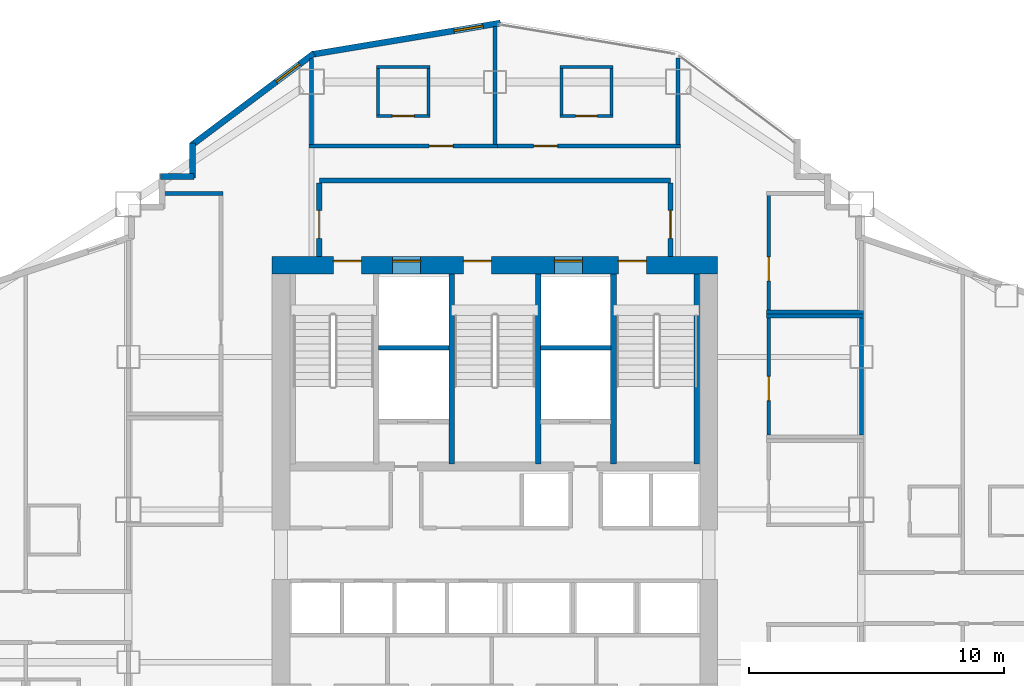
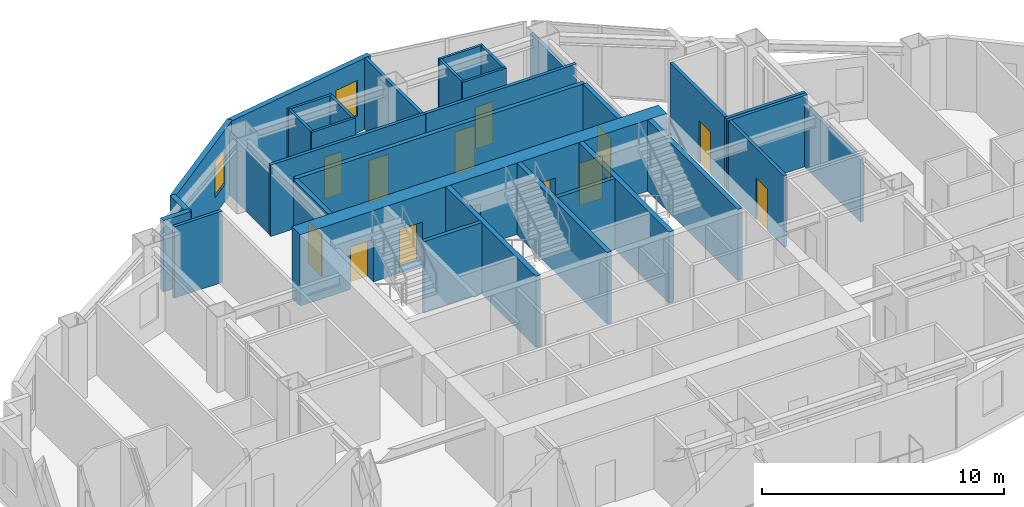
# One storey, part 11 of 14: 33 walls, 13 doors, 2 windows, 15 openings.
"""IFC4 building model written with IfcOpenShell, lengths in metres."""

from ifc_helpers import new_model, si_unit, direction, frame, frame_2d, origin, place, context, subcontext, project, spatial, rectangle, extrude, material, layer, layer_set, type_object, element, fill, save


model = new_model("IFC4")

# Units and contexts
model_context = context("Model", 3, precision=1e-05, world=origin(), true_north=direction((0.0, 1.0)))
body_context = subcontext(model_context, "Body", "Model", "MODEL_VIEW")
ifc_project = project(units=[si_unit("LENGTHUNIT", "METRE"), si_unit("AREAUNIT", "SQUARE_METRE"), si_unit("VOLUMEUNIT", "CUBIC_METRE"), si_unit("PLANEANGLEUNIT", "RADIAN"), si_unit("MASSUNIT", "GRAM", prefix="KILO")], contexts=[model_context])

# Site, building, storey
site_placement = place(None, origin())
site = spatial("IfcSite", under=ifc_project, at=site_placement, CompositionType="ELEMENT")
building_placement = place(site_placement, origin())
building = spatial("IfcBuilding", under=site, at=building_placement, Name="Haolan Belvedere Tower", CompositionType="ELEMENT")
storey_placement = place(building_placement, frame((0.0, 0.0, 121.199951171875)))
storey = spatial("IfcBuildingStorey", under=building, at=storey_placement, Name="L30", CompositionType="ELEMENT", Elevation=121.199951171875)

# Wall, openings, doors
ifc_material_1 = material(Name="Concrete C60/75", Category="concrete")
ifc_layer_1 = layer(ifc_material_1, 0.699951171875, Name="Concrete C60/75")
ifc_layer_set_1 = layer_set([ifc_layer_1], Name="Concrete C60/75")
wall_type_1 = type_object("IfcWallType", Name="WL-CORE-700", PredefinedType="SHEAR", material=ifc_layer_set_1)
wall_1_placement = place(storey_placement, frame((29.64990234375, 43.199951171875, 0.0), z_axis=(0.0, 0.0, 1.0), x_axis=(1.0, 0.0, 0.0)))
wall_1 = element("IfcWall", 1, at=wall_1_placement, inside=storey, type_object=wall_type_1, Name="L30 central core north shear wall", PredefinedType="SHEAR", context=body_context, shape_type="SweptSolid", body=[
    extrude(rectangle(XDim=17.5, YDim=0.699951171875, at=frame_2d((8.75, 0.0))), origin(), (0.0, 0.0, 1.0), 3.60009765625),
])
opening_1_placement = place(wall_1_placement, frame((2.39990234375, 0.0, 0.0)))
opening_1 = element("IfcOpeningElement", 2, at=opening_1_placement, cuts=wall_1, Name="Opening FD-03", PredefinedType="OPENING", context=body_context, shape_type="SweptSolid", body=[
    extrude(rectangle(XDim=1.10009765625, YDim=2.14990234375, at=frame_2d((0.550048828125, 1.074951171875))), frame((0.0, 0.35986328125, 0.0), z_axis=(0.0, -1.0, 0.0), x_axis=(1.0, 0.0, 0.0)), (0.0, 0.0, 1.0), 0.719970703125),
])
opening_2_placement = place(wall_1_placement, frame((7.510009765625, 0.0, 0.0)))
opening_2 = element("IfcOpeningElement", 3, at=opening_2_placement, cuts=wall_1, Name="Opening FD-03", PredefinedType="OPENING", context=body_context, shape_type="SweptSolid", body=[
    extrude(rectangle(XDim=1.10009765625, YDim=2.14990234375, at=frame_2d((0.550048828125, 1.074951171875))), frame((0.0, 0.35986328125, 0.0), z_axis=(0.0, -1.0, 0.0), x_axis=(1.0, 0.0, 0.0)), (0.0, 0.0, 1.0), 0.719970703125),
])
opening_3_placement = place(wall_1_placement, frame((13.60009765625, 0.0, 0.0)))
opening_3 = element("IfcOpeningElement", 4, at=opening_3_placement, cuts=wall_1, Name="Opening FD-03", PredefinedType="OPENING", context=body_context, shape_type="SweptSolid", body=[
    extrude(rectangle(XDim=1.10009765625, YDim=2.14990234375, at=frame_2d((0.550048828125, 1.074951171875))), frame((0.0, 0.35986328125, 0.0), z_axis=(0.0, -1.0, 0.0), x_axis=(1.0, 0.0, 0.0)), (0.0, 0.0, 1.0), 0.719970703125),
])
opening_4_placement = place(wall_1_placement, frame((4.72998046875, 0.0, 0.0)))
opening_4 = element("IfcOpeningElement", 5, at=opening_4_placement, cuts=wall_1, Name="Opening LD-01", PredefinedType="OPENING", context=body_context, shape_type="SweptSolid", body=[
    extrude(rectangle(XDim=1.10009765625, YDim=2.199951171875, at=frame_2d((0.550048828125, 1.10009765625))), frame((0.0, 0.35986328125, 0.0), z_axis=(0.0, -1.0, 0.0), x_axis=(1.0, 0.0, 0.0)), (0.0, 0.0, 1.0), 0.719970703125),
])
opening_5_placement = place(wall_1_placement, frame((11.090087890625, 0.0, 0.0)))
opening_5 = element("IfcOpeningElement", 6, at=opening_5_placement, cuts=wall_1, Name="Opening LD-01", PredefinedType="OPENING", context=body_context, shape_type="SweptSolid", body=[
    extrude(rectangle(XDim=1.10009765625, YDim=2.199951171875, at=frame_2d((0.550048828125, 1.10009765625))), frame((0.0, 0.35986328125, 0.0), z_axis=(0.0, -1.0, 0.0), x_axis=(1.0, 0.0, 0.0)), (0.0, 0.0, 1.0), 0.719970703125),
])
ifc_material_2 = material(Name="Galvanised fire-rated steel", Category="steel")
door_type_1 = type_object("IfcDoorType", Name="DR-FD90-1100", OperationType="NOTDEFINED", PredefinedType="DOOR", material=ifc_material_2)
door_1_placement = place(opening_1_placement, origin())
door_1 = element("IfcDoor", 7, at=door_1_placement, inside=storey, type_object=door_type_1, Name="L30 door CD-L30-ST1", OperationType="SINGLE_SWING_LEFT", OverallHeight=2.14990234375, OverallWidth=1.10009765625, PredefinedType="DOOR", context=body_context, shape_type="SweptSolid", body=[
    extrude(rectangle(XDim=1.10009765625, YDim=2.14990234375, at=frame_2d((0.550048828125, 1.074951171875))), frame((0.0, 0.18505859375, 0.0), z_axis=(0.0, -1.0, 0.0), x_axis=(1.0, 0.0, 0.0)), (0.0, 0.0, 1.0), 0.050048828125),
])
fill(opening_1, door_1)
door_2_placement = place(opening_2_placement, origin())
door_2 = element("IfcDoor", 8, at=door_2_placement, inside=storey, type_object=door_type_1, Name="L30 door CD-L30-ST3", OperationType="SINGLE_SWING_LEFT", OverallHeight=2.14990234375, OverallWidth=1.10009765625, PredefinedType="DOOR", context=body_context, shape_type="SweptSolid", body=[
    extrude(rectangle(XDim=1.10009765625, YDim=2.14990234375, at=frame_2d((0.550048828125, 1.074951171875))), frame((0.0, 0.18505859375, 0.0), z_axis=(0.0, -1.0, 0.0), x_axis=(1.0, 0.0, 0.0)), (0.0, 0.0, 1.0), 0.050048828125),
])
fill(opening_2, door_2)
door_3_placement = place(opening_3_placement, origin())
door_3 = element("IfcDoor", 9, at=door_3_placement, inside=storey, type_object=door_type_1, Name="L30 door CD-L30-ST2", OperationType="SINGLE_SWING_RIGHT", OverallHeight=2.14990234375, OverallWidth=1.10009765625, PredefinedType="DOOR", context=body_context, shape_type="SweptSolid", body=[
    extrude(rectangle(XDim=1.10009765625, YDim=2.14990234375, at=frame_2d((0.550048828125, 1.074951171875))), frame((0.0, 0.18505859375, 0.0), z_axis=(0.0, -1.0, 0.0), x_axis=(1.0, 0.0, 0.0)), (0.0, 0.0, 1.0), 0.050048828125),
])
fill(opening_3, door_3)
ifc_material_3 = material(Name="Brushed champagne stainless steel 316L", Category="steel")
door_type_2 = type_object("IfcDoorType", Name="DR-LIFT-1100", OperationType="SLIDING_TO_LEFT", PredefinedType="DOOR", material=ifc_material_3)
door_4_placement = place(opening_4_placement, origin())
door_4 = element("IfcDoor", 10, at=door_4_placement, inside=storey, type_object=door_type_2, Name="L30 door LD-L30-FF1", OperationType="SLIDING_TO_LEFT", OverallHeight=2.199951171875, OverallWidth=1.10009765625, PredefinedType="DOOR", context=body_context, shape_type="SweptSolid", body=[
    extrude(rectangle(XDim=1.10009765625, YDim=2.199951171875, at=frame_2d((0.550048828125, 1.10009765625))), frame((0.0, 0.18505859375, 0.0), z_axis=(0.0, -1.0, 0.0), x_axis=(1.0, 0.0, 0.0)), (0.0, 0.0, 1.0), 0.050048828125),
])
fill(opening_4, door_4)
door_5_placement = place(opening_5_placement, origin())
door_5 = element("IfcDoor", 11, at=door_5_placement, inside=storey, type_object=door_type_2, Name="L30 door LD-L30-FF2", OperationType="SLIDING_TO_LEFT", OverallHeight=2.199951171875, OverallWidth=1.10009765625, PredefinedType="DOOR", context=body_context, shape_type="SweptSolid", body=[
    extrude(rectangle(XDim=1.10009765625, YDim=2.199951171875, at=frame_2d((0.550048828125, 1.10009765625))), frame((0.0, 0.18505859375, 0.0), z_axis=(0.0, -1.0, 0.0), x_axis=(1.0, 0.0, 0.0)), (0.0, 0.0, 1.0), 0.050048828125),
])
fill(opening_5, door_5)

# Wall, opening, window
ifc_material_4 = material(Name="Precast concrete C40/50", Category="concrete")
ifc_layer_2 = layer(ifc_material_4, 0.239990234375, Name="Precast concrete C40/50")
ifc_layer_set_2 = layer_set([ifc_layer_2], Name="Precast concrete C40/50")
wall_type_2 = type_object("IfcWallType", Name="WL-EXT-240", PredefinedType="SOLIDWALL", material=ifc_layer_set_2)
wall_2_placement = place(storey_placement, frame((38.621826171875, 52.71533203125, 0.0), z_axis=(0.0, 0.0, 1.0), x_axis=(-0.98639129485, -0.164414760418, 0.0)))
wall_2 = element("IfcWall", 12, at=wall_2_placement, inside=storey, type_object=wall_type_2, Name="L30 pale-metal exterior spandrel wall 28.1", PredefinedType="SOLIDWALL", context=body_context, shape_type="SweptSolid", body=[
    extrude(rectangle(XDim=7.530029296875, YDim=0.239990234375, at=frame_2d((3.76513671875, 0.0))), origin(), (0.0, 0.0, 1.0), 3.60009765625),
])
opening_6_placement = place(wall_2_placement, frame((0.699951171875, 0.0, 0.85009765625)))
opening_6 = element("IfcOpeningElement", 13, at=opening_6_placement, cuts=wall_2, Name="Opening W-02", PredefinedType="OPENING", context=body_context, shape_type="SweptSolid", body=[
    extrude(rectangle(XDim=1.14990234375, YDim=1.800048828125, at=frame_2d((0.574951171875, 0.89990234375))), frame((0.0, 0.1298828125, 0.0), z_axis=(0.0, -1.0, 0.0), x_axis=(1.0, 0.0, 0.0)), (0.0, 0.0, 1.0), 0.260009765625),
])
ifc_material_5 = material(Name="Anodised aluminium 6063-T6 and Low-E glass", Category="aluminium")
window_type = type_object("IfcWindowType", Name="WN-DECO-Z2", PartitioningType="SINGLE_PANEL", PredefinedType="WINDOW", material=ifc_material_5)
window_1_placement = place(opening_6_placement, origin())
window_1 = element("IfcWindow", 14, at=window_1_placement, inside=storey, type_object=window_type, Name="L30 Art Deco chevron window 1", OverallHeight=1.800048828125, OverallWidth=1.14990234375, PartitioningType="SINGLE_PANEL", PredefinedType="WINDOW", context=body_context, shape_type="SweptSolid", body=[
    extrude(rectangle(XDim=1.14990234375, YDim=1.800048828125, at=frame_2d((0.574951171875, 0.89990234375))), frame((0.0, 0.030029296875, 0.0), z_axis=(0.0, -1.0, 0.0), x_axis=(1.0, 0.0, 0.0)), (0.0, 0.0, 1.0), 0.06005859375),
])
fill(opening_6, window_1)

wall_3_placement = place(storey_placement, frame((31.29248046875, 51.519287109375, 0.0), z_axis=(0.0, 0.0, 1.0), x_axis=(-0.8, -0.6, 0.0)))
wall_3 = element("IfcWall", 15, at=wall_3_placement, inside=storey, type_object=wall_type_2, Name="L30 pale-metal exterior spandrel wall 29.1", PredefinedType="SOLIDWALL", context=body_context, shape_type="SweptSolid", body=[
    extrude(rectangle(XDim=6.0205078125, YDim=0.239990234375, at=frame_2d((3.01025390625, 0.0))), origin(), (0.0, 0.0, 1.0), 3.60009765625),
])
opening_7_placement = place(wall_3_placement, frame((0.699951171875, 0.0, 0.85009765625)))
opening_7 = element("IfcOpeningElement", 16, at=opening_7_placement, cuts=wall_3, Name="Opening W-02", PredefinedType="OPENING", context=body_context, shape_type="SweptSolid", body=[
    extrude(rectangle(XDim=1.14990234375, YDim=1.800048828125, at=frame_2d((0.574951171875, 0.89990234375))), frame((0.0, 0.1298828125, 0.0), z_axis=(0.0, -1.0, 0.0), x_axis=(1.0, 0.0, 0.0)), (0.0, 0.0, 1.0), 0.260009765625),
])
window_2_placement = place(opening_7_placement, origin())
window_2 = element("IfcWindow", 17, at=window_2_placement, inside=storey, type_object=window_type, Name="L30 Art Deco chevron window 1", OverallHeight=1.800048828125, OverallWidth=1.14990234375, PartitioningType="SINGLE_PANEL", PredefinedType="WINDOW", context=body_context, shape_type="SweptSolid", body=[
    extrude(rectangle(XDim=1.14990234375, YDim=1.800048828125, at=frame_2d((0.574951171875, 0.89990234375))), frame((0.0, 0.030029296875, 0.0), z_axis=(0.0, -1.0, 0.0), x_axis=(1.0, 0.0, 0.0)), (0.0, 0.0, 1.0), 0.06005859375),
])
fill(opening_7, window_2)

# Walls
wall_4_placement = place(storey_placement, frame((26.52001953125, 47.9951171875, 0.0), z_axis=(0.0, 0.0, 1.0), x_axis=(0.0, -1.0, 0.0)))
element("IfcWall", 18, at=wall_4_placement, inside=storey, type_object=wall_type_2, Name="L30 pale-metal exterior spandrel wall 30.1", PredefinedType="SOLIDWALL", context=body_context, shape_type="SweptSolid", body=[
    extrude(rectangle(XDim=1.3701171875, YDim=0.239990234375, at=frame_2d((0.68505859375, 0.0))), origin(), (0.0, 0.0, 1.0), 3.60009765625),
])
wall_5_placement = place(storey_placement, frame((26.574951171875, 46.679931640625, 0.0), z_axis=(0.0, 0.0, 1.0), x_axis=(-1.0, 0.0, 0.0)))
element("IfcWall", 19, at=wall_5_placement, inside=storey, type_object=wall_type_2, Name="L30 pale-metal exterior spandrel wall 31.1", PredefinedType="SOLIDWALL", context=body_context, shape_type="SweptSolid", body=[
    extrude(rectangle(XDim=1.31005859375, YDim=0.239990234375, at=frame_2d((0.655029296875, 0.0))), origin(), (0.0, 0.0, 1.0), 3.60009765625),
])
ifc_material_6 = material(Name="Concrete C40/50", Category="concrete")
ifc_layer_3 = layer(ifc_material_6, 0.199951171875, Name="Concrete C40/50")
ifc_layer_set_3 = layer_set([ifc_layer_3], Name="Concrete C40/50")
wall_type_3 = type_object("IfcWallType", Name="WL-FIRE-200", PredefinedType="SOLIDWALL", material=ifc_layer_set_3)
wall_6_placement = place(storey_placement, frame((31.5, 46.52001953125, 0.0), z_axis=(0.0, 0.0, 1.0), x_axis=(1.0, 0.0, 0.0)))
element("IfcWall", 20, at=wall_6_placement, inside=storey, type_object=wall_type_3, Name="L30 interior partition IW-L30-FFL-N", PredefinedType="SOLIDWALL", context=body_context, shape_type="SweptSolid", body=[
    extrude(rectangle(XDim=13.800048828125, YDim=0.199951171875, at=frame_2d((6.89990234375, 0.0))), origin(), (0.0, 0.0, 1.0), 3.60009765625),
])

# Wall, opening, door
wall_7_placement = place(storey_placement, frame((31.5, 43.550048828125, 0.0), z_axis=(0.0, 0.0, 1.0), x_axis=(0.0, 1.0, 0.0)))
wall_7 = element("IfcWall", 21, at=wall_7_placement, inside=storey, type_object=wall_type_3, Name="L30 interior partition IW-L30-FFL-W", PredefinedType="SOLIDWALL", context=body_context, shape_type="SweptSolid", body=[
    extrude(rectangle(XDim=2.885009765625, YDim=0.199951171875, at=frame_2d((1.4423828125, 0.0))), origin(), (0.0, 0.0, 1.0), 3.60009765625),
])
opening_8_placement = place(wall_7_placement, frame((1.800048828125, 0.0, 0.0), z_axis=(0.0, 0.0, 1.0), x_axis=(-1.0, 0.0, 0.0)))
opening_8 = element("IfcOpeningElement", 22, at=opening_8_placement, cuts=wall_7, Name="Opening FD-03", PredefinedType="OPENING", context=body_context, shape_type="SweptSolid", body=[
    extrude(rectangle(XDim=1.10009765625, YDim=2.14990234375, at=frame_2d((0.550048828125, 1.074951171875))), frame((0.0, 0.10986328125, 0.0), z_axis=(0.0, -1.0, 0.0), x_axis=(1.0, 0.0, 0.0)), (0.0, 0.0, 1.0), 0.219970703125),
])
door_6_placement = place(opening_8_placement, origin())
door_6 = element("IfcDoor", 23, at=door_6_placement, inside=storey, type_object=door_type_1, Name="L30 door ID-L30-FFL-DW", OperationType="SINGLE_SWING_LEFT", OverallHeight=2.14990234375, OverallWidth=1.10009765625, PredefinedType="DOOR", context=body_context, shape_type="SweptSolid", body=[
    extrude(rectangle(XDim=1.10009765625, YDim=2.14990234375, at=frame_2d((0.550048828125, 1.074951171875))), frame((0.0, 0.02490234375, 0.0), z_axis=(0.0, -1.0, 0.0), x_axis=(1.0, 0.0, 0.0)), (0.0, 0.0, 1.0), 0.050048828125),
])
fill(opening_8, door_6)

wall_8_placement = place(storey_placement, frame((45.300048828125, 43.550048828125, 0.0), z_axis=(0.0, 0.0, 1.0), x_axis=(0.0, 1.0, 0.0)))
wall_8 = element("IfcWall", 24, at=wall_8_placement, inside=storey, type_object=wall_type_3, Name="L30 interior partition IW-L30-FFL-E", PredefinedType="SOLIDWALL", context=body_context, shape_type="SweptSolid", body=[
    extrude(rectangle(XDim=2.885009765625, YDim=0.199951171875, at=frame_2d((1.4423828125, 0.0))), origin(), (0.0, 0.0, 1.0), 3.60009765625),
])
opening_9_placement = place(wall_8_placement, frame((0.699951171875, 0.0, 0.0)))
opening_9 = element("IfcOpeningElement", 25, at=opening_9_placement, cuts=wall_8, Name="Opening FD-03", PredefinedType="OPENING", context=body_context, shape_type="SweptSolid", body=[
    extrude(rectangle(XDim=1.10009765625, YDim=2.14990234375, at=frame_2d((0.550048828125, 1.074951171875))), frame((0.0, 0.10986328125, 0.0), z_axis=(0.0, -1.0, 0.0), x_axis=(1.0, 0.0, 0.0)), (0.0, 0.0, 1.0), 0.219970703125),
])
door_7_placement = place(opening_9_placement, origin())
door_7 = element("IfcDoor", 26, at=door_7_placement, inside=storey, type_object=door_type_1, Name="L30 door ID-L30-FFL-DE", OperationType="SINGLE_SWING_RIGHT", OverallHeight=2.14990234375, OverallWidth=1.10009765625, PredefinedType="DOOR", context=body_context, shape_type="SweptSolid", body=[
    extrude(rectangle(XDim=1.10009765625, YDim=2.14990234375, at=frame_2d((0.550048828125, 1.074951171875))), frame((0.0, 0.02490234375, 0.0), z_axis=(0.0, -1.0, 0.0), x_axis=(1.0, 0.0, 0.0)), (0.0, 0.0, 1.0), 0.050048828125),
])
fill(opening_9, door_7)

# Walls
ifc_material_7 = material(Name="Double gypsum acoustic stud partition", Category="masonry")
ifc_layer_4 = layer(ifc_material_7, 0.14990234375, Name="Double gypsum acoustic stud partition")
ifc_layer_set_4 = layer_set([ifc_layer_4], Name="Double gypsum acoustic stud partition")
wall_type_4 = type_object("IfcWallType", Name="WL-PART-150", PredefinedType="PARTITIONING", material=ifc_layer_set_4)
wall_9_placement = place(storey_placement, frame((25.425048828125, 46.02001953125, 0.0), z_axis=(0.0, 0.0, 1.0), x_axis=(1.0, 0.0, 0.0)))
element("IfcWall", 27, at=wall_9_placement, inside=storey, type_object=wall_type_4, Name="L30 interior partition IW-L30-MTG-N", PredefinedType="PARTITIONING", context=body_context, shape_type="SweptSolid", body=[
    extrude(rectangle(XDim=2.294921875, YDim=0.14990234375, at=frame_2d((1.1474609375, 0.0))), origin(), (0.0, 0.0, 1.0), 3.60009765625),
])
wall_10_placement = place(storey_placement, frame((49.080078125, 41.199951171875, 0.0), z_axis=(0.0, 0.0, 1.0), x_axis=(1.0, 0.0, 0.0)))
element("IfcWall", 28, at=wall_10_placement, inside=storey, type_object=wall_type_4, Name="L30 interior partition IW-L30-STY-N", PredefinedType="PARTITIONING", context=body_context, shape_type="SweptSolid", body=[
    extrude(rectangle(XDim=3.7998046875, YDim=0.14990234375, at=frame_2d((1.89990234375, 0.0))), origin(), (0.0, 0.0, 1.0), 3.60009765625),
])

# Wall, opening, door
wall_11_placement = place(storey_placement, frame((49.159912109375, 36.52001953125, 0.0), z_axis=(0.0, 0.0, 1.0), x_axis=(0.0, 1.0, 0.0)))
wall_11 = element("IfcWall", 29, at=wall_11_placement, inside=storey, type_object=wall_type_4, Name="L30 interior partition IW-L30-STY-W", PredefinedType="PARTITIONING", context=body_context, shape_type="SweptSolid", body=[
    extrude(rectangle(XDim=4.619873046875, YDim=0.14990234375, at=frame_2d((2.31005859375, 0.0))), origin(), (0.0, 0.0, 1.0), 3.60009765625),
])
opening_10_placement = place(wall_11_placement, frame((1.360107421875, 0.0, 0.0)))
opening_10 = element("IfcOpeningElement", 30, at=opening_10_placement, cuts=wall_11, Name="Opening ID-03", PredefinedType="OPENING", context=body_context, shape_type="SweptSolid", body=[
    extrude(rectangle(XDim=0.949951171875, YDim=2.1201171875, at=frame_2d((0.47509765625, 1.06005859375))), frame((0.0, 0.0849609375, 0.0), z_axis=(0.0, -1.0, 0.0), x_axis=(1.0, 0.0, 0.0)), (0.0, 0.0, 1.0), 0.169921875),
])
ifc_material_8 = material(Name="Painted solid-core timber", Category="wood")
door_type_3 = type_object("IfcDoorType", Name="DR-INT-950", OperationType="NOTDEFINED", PredefinedType="DOOR", material=ifc_material_8)
door_8_placement = place(opening_10_placement, origin())
door_8 = element("IfcDoor", 31, at=door_8_placement, inside=storey, type_object=door_type_3, Name="L30 door ID-L30-STY", OperationType="SINGLE_SWING_RIGHT", OverallHeight=2.1201171875, OverallWidth=0.949951171875, PredefinedType="DOOR", context=body_context, shape_type="SweptSolid", body=[
    extrude(rectangle(XDim=0.949951171875, YDim=2.1201171875, at=frame_2d((0.47509765625, 1.06005859375))), frame((0.0, 0.02490234375, 0.0), z_axis=(0.0, -1.0, 0.0), x_axis=(1.0, 0.0, 0.0)), (0.0, 0.0, 1.0), 0.050048828125),
])
fill(opening_10, door_8)

# Walls
wall_12_placement = place(storey_placement, frame((52.800048828125, 36.52001953125, 0.0), z_axis=(0.0, 0.0, 1.0), x_axis=(0.0, 1.0, 0.0)))
element("IfcWall", 32, at=wall_12_placement, inside=storey, type_object=wall_type_4, Name="L30 interior partition IW-L30-STY-E", PredefinedType="PARTITIONING", context=body_context, shape_type="SweptSolid", body=[
    extrude(rectangle(XDim=4.619873046875, YDim=0.14990234375, at=frame_2d((2.31005859375, 0.0))), origin(), (0.0, 0.0, 1.0), 3.14501953125),
])
wall_13_placement = place(storey_placement, frame((49.080078125, 41.360107421875, 0.0), z_axis=(0.0, 0.0, 1.0), x_axis=(1.0, 0.0, 0.0)))
element("IfcWall", 33, at=wall_13_placement, inside=storey, type_object=wall_type_4, Name="L30 interior partition IW-L30-PNT-S", PredefinedType="PARTITIONING", context=body_context, shape_type="SweptSolid", body=[
    extrude(rectangle(XDim=3.7998046875, YDim=0.14990234375, at=frame_2d((1.89990234375, 0.0))), origin(), (0.0, 0.0, 1.0), 3.60009765625),
])

# Wall, opening, door
wall_14_placement = place(storey_placement, frame((49.159912109375, 41.419921875, 0.0), z_axis=(0.0, 0.0, 1.0), x_axis=(0.0, 1.0, 0.0)))
wall_14 = element("IfcWall", 34, at=wall_14_placement, inside=storey, type_object=wall_type_4, Name="L30 interior partition IW-L30-PNT-W", PredefinedType="PARTITIONING", context=body_context, shape_type="SweptSolid", body=[
    extrude(rectangle(XDim=4.5400390625, YDim=0.14990234375, at=frame_2d((2.27001953125, 0.0))), origin(), (0.0, 0.0, 1.0), 3.60009765625),
])
opening_11_placement = place(wall_14_placement, frame((1.159912109375, 0.0, 0.0)))
opening_11 = element("IfcOpeningElement", 35, at=opening_11_placement, cuts=wall_14, Name="Opening ID-03", PredefinedType="OPENING", context=body_context, shape_type="SweptSolid", body=[
    extrude(rectangle(XDim=0.949951171875, YDim=2.1201171875, at=frame_2d((0.47509765625, 1.06005859375))), frame((0.0, 0.0849609375, 0.0), z_axis=(0.0, -1.0, 0.0), x_axis=(1.0, 0.0, 0.0)), (0.0, 0.0, 1.0), 0.169921875),
])
door_9_placement = place(opening_11_placement, origin())
door_9 = element("IfcDoor", 36, at=door_9_placement, inside=storey, type_object=door_type_3, Name="L30 door ID-L30-PNT", OperationType="SINGLE_SWING_LEFT", OverallHeight=2.1201171875, OverallWidth=0.949951171875, PredefinedType="DOOR", context=body_context, shape_type="SweptSolid", body=[
    extrude(rectangle(XDim=0.949951171875, YDim=2.1201171875, at=frame_2d((0.47509765625, 1.06005859375))), frame((0.0, 0.02490234375, 0.0), z_axis=(0.0, -1.0, 0.0), x_axis=(1.0, 0.0, 0.0)), (0.0, 0.0, 1.0), 0.050048828125),
])
fill(opening_11, door_9)

wall_15_placement = place(storey_placement, frame((31.10009765625, 47.8798828125, 0.0), z_axis=(0.0, 0.0, 1.0), x_axis=(1.0, 0.0, 0.0)))
wall_15 = element("IfcWall", 37, at=wall_15_placement, inside=storey, type_object=wall_type_4, Name="L30 interior partition IW-L30-KN2-S", PredefinedType="PARTITIONING", context=body_context, shape_type="SweptSolid", body=[
    extrude(rectangle(XDim=7.39990234375, YDim=0.14990234375, at=frame_2d((3.699951171875, 0.0))), origin(), (0.0, 0.0, 1.0), 3.60009765625),
])
opening_12_placement = place(wall_15_placement, frame((4.713623046875, 0.0, 0.0)))
opening_12 = element("IfcOpeningElement", 38, at=opening_12_placement, cuts=wall_15, Name="Opening ID-02", PredefinedType="OPENING", context=body_context, shape_type="SweptSolid", body=[
    extrude(rectangle(XDim=0.949951171875, YDim=2.14990234375, at=frame_2d((0.47509765625, 1.074951171875))), frame((0.0, 0.0849609375, 0.0), z_axis=(0.0, -1.0, 0.0), x_axis=(1.0, 0.0, 0.0)), (0.0, 0.0, 1.0), 0.169921875),
])
ifc_material_9 = material(Name="Acoustic oak veneer fire-rated timber", Category="wood")
door_type_4 = type_object("IfcDoorType", Name="DR-GUEST-950", OperationType="NOTDEFINED", PredefinedType="DOOR", material=ifc_material_9)
door_10_placement = place(opening_12_placement, origin())
door_10 = element("IfcDoor", 39, at=door_10_placement, inside=storey, type_object=door_type_4, Name="L30 door ID-L30-KN2-ENT", OperationType="SINGLE_SWING_RIGHT", OverallHeight=2.14990234375, OverallWidth=0.949951171875, PredefinedType="DOOR", context=body_context, shape_type="SweptSolid", body=[
    extrude(rectangle(XDim=0.949951171875, YDim=2.14990234375, at=frame_2d((0.47509765625, 1.074951171875))), frame((0.0, 0.02490234375, 0.0), z_axis=(0.0, -1.0, 0.0), x_axis=(1.0, 0.0, 0.0)), (0.0, 0.0, 1.0), 0.050048828125),
])
fill(opening_12, door_10)

# Walls
wall_16_placement = place(storey_placement, frame((31.199951171875, 47.93994140625, 0.0), z_axis=(0.0, 0.0, 1.0), x_axis=(0.0, 1.0, 0.0)))
element("IfcWall", 40, at=wall_16_placement, inside=storey, type_object=wall_type_4, Name="L30 interior partition IW-L30-KN2-W", PredefinedType="PARTITIONING", context=body_context, shape_type="SweptSolid", body=[
    extrude(rectangle(XDim=3.378662109375, YDim=0.14990234375, at=frame_2d((1.689453125, 0.0))), origin(), (0.0, 0.0, 1.0), 3.0849609375),
])
wall_17_placement = place(storey_placement, frame((38.39990234375, 47.93994140625, 0.0), z_axis=(0.0, 0.0, 1.0), x_axis=(0.0, 1.0, 0.0)))
element("IfcWall", 41, at=wall_17_placement, inside=storey, type_object=wall_type_4, Name="L30 interior partition IW-L30-KN2-E", PredefinedType="PARTITIONING", context=body_context, shape_type="SweptSolid", body=[
    extrude(rectangle(XDim=4.632080078125, YDim=0.14990234375, at=frame_2d((2.31591796875, 0.0))), origin(), (0.0, 0.0, 1.0), 3.60009765625),
])

# Wall, opening, door
wall_18_placement = place(storey_placement, frame((38.501953125, 47.8798828125, 0.0), z_axis=(0.0, 0.0, 1.0), x_axis=(1.0, 0.0, 0.0)))
wall_18 = element("IfcWall", 42, at=wall_18_placement, inside=storey, type_object=wall_type_4, Name="L30 interior partition IW-L30-KN3-S", PredefinedType="PARTITIONING", context=body_context, shape_type="SweptSolid", body=[
    extrude(rectangle(XDim=7.197998046875, YDim=0.14990234375, at=frame_2d((3.59912109375, 0.0))), origin(), (0.0, 0.0, 1.0), 3.60009765625),
])
opening_13_placement = place(wall_18_placement, frame((1.41748046875, 0.0, 0.0)))
opening_13 = element("IfcOpeningElement", 43, at=opening_13_placement, cuts=wall_18, Name="Opening ID-02", PredefinedType="OPENING", context=body_context, shape_type="SweptSolid", body=[
    extrude(rectangle(XDim=0.949951171875, YDim=2.14990234375, at=frame_2d((0.47509765625, 1.074951171875))), frame((0.0, 0.0849609375, 0.0), z_axis=(0.0, -1.0, 0.0), x_axis=(1.0, 0.0, 0.0)), (0.0, 0.0, 1.0), 0.169921875),
])
door_11_placement = place(opening_13_placement, origin())
door_11 = element("IfcDoor", 44, at=door_11_placement, inside=storey, type_object=door_type_4, Name="L30 door ID-L30-KN3-ENT", OperationType="SINGLE_SWING_LEFT", OverallHeight=2.14990234375, OverallWidth=0.949951171875, PredefinedType="DOOR", context=body_context, shape_type="SweptSolid", body=[
    extrude(rectangle(XDim=0.949951171875, YDim=2.14990234375, at=frame_2d((0.47509765625, 1.074951171875))), frame((0.0, 0.02490234375, 0.0), z_axis=(0.0, -1.0, 0.0), x_axis=(1.0, 0.0, 0.0)), (0.0, 0.0, 1.0), 0.050048828125),
])
fill(opening_13, door_11)

# Walls
wall_19_placement = place(storey_placement, frame((45.60009765625, 47.93994140625, 0.0), z_axis=(0.0, 0.0, 1.0), x_axis=(0.0, 1.0, 0.0)))
element("IfcWall", 45, at=wall_19_placement, inside=storey, type_object=wall_type_4, Name="L30 interior partition IW-L30-KN3-E", PredefinedType="PARTITIONING", context=body_context, shape_type="SweptSolid", body=[
    extrude(rectangle(XDim=3.39501953125, YDim=0.14990234375, at=frame_2d((1.697509765625, 0.0))), origin(), (0.0, 0.0, 1.0), 3.0849609375),
])
ifc_layer_5 = layer(ifc_material_4, 0.179931640625, Name="Precast concrete C40/50")
ifc_layer_set_5 = layer_set([ifc_layer_5], Name="Precast concrete C40/50")
wall_type_5 = type_object("IfcWallType", Name="WL-SHAFT-180", PredefinedType="SOLIDWALL", material=ifc_layer_set_5)
for number, where, z_axis, x_axis, name in (
    (46, (33.8349609375, 39.949951171875, 0.0), (0.0, 0.0, 1.0), (1.0, 0.0, 0.0), "L30 interior partition IW-L30-FF1-S"),
    (47, (40.195068359375, 39.949951171875, 0.0), (0.0, 0.0, 1.0), (1.0, 0.0, 0.0), "L30 interior partition IW-L30-FF2-S"),
):
    element("IfcWall", number, at=place(storey_placement, frame(where, z_axis=z_axis, x_axis=x_axis)), inside=storey, type_object=wall_type_5, Name=name, PredefinedType="SOLIDWALL", context=body_context, shape_type="SweptSolid", body=[
        extrude(rectangle(XDim=2.77001953125, YDim=0.179931640625, at=frame_2d((1.385009765625, 0.0))), origin(), (0.0, 0.0, 1.0), 3.60009765625),
    ])
ifc_material_10 = material(Name="Concrete C50/60", Category="concrete")
ifc_layer_6 = layer(ifc_material_10, 0.219970703125, Name="Concrete C50/60")
ifc_layer_set_6 = layer_set([ifc_layer_6], Name="Concrete C50/60")
wall_type_6 = type_object("IfcWallType", Name="WL-STAIR-220", PredefinedType="SHEAR", material=ifc_layer_set_6)
for number, where, z_axis, x_axis, name in (
    (48, (36.699951171875, 35.389892578125, 0.0), (0.0, 0.0, 1.0), (0.0, 1.0, 0.0), "L30 structural stair core wall ST3W"),
    (49, (40.10009765625, 35.389892578125, 0.0), (0.0, 0.0, 1.0), (0.0, 1.0, 0.0), "L30 structural stair core wall ST3E"),
    (50, (43.06005859375, 35.389892578125, 0.0), (0.0, 0.0, 1.0), (0.0, 1.0, 0.0), "L30 structural stair core wall ST2W"),
    (51, (46.337890625, 35.389892578125, 0.0), (0.0, 0.0, 1.0), (0.0, 1.0, 0.0), "L30 structural stair core wall ST2E"),
):
    element("IfcWall", number, at=place(storey_placement, frame(where, z_axis=z_axis, x_axis=x_axis)), inside=storey, type_object=wall_type_6, Name=name, PredefinedType="SHEAR", context=body_context, shape_type="SweptSolid", body=[
        extrude(rectangle(XDim=7.460205078125, YDim=0.219970703125, at=frame_2d((3.72998046875, 0.0))), origin(), (0.0, 0.0, 1.0), 3.60009765625),
    ])
ifc_material_11 = material(Name="Moisture-resistant gypsum tile partition", Category="masonry")
ifc_layer_7 = layer(ifc_material_11, 0.1201171875, Name="Moisture-resistant gypsum tile partition")
ifc_layer_set_7 = layer_set([ifc_layer_7], Name="Moisture-resistant gypsum tile partition")
wall_type_7 = type_object("IfcWallType", Name="WL-WET-120", PredefinedType="PARTITIONING", material=ifc_layer_set_7)
wall_20_placement = place(storey_placement, frame((33.75, 50.97998046875, 0.0), z_axis=(0.0, 0.0, 1.0), x_axis=(1.0, 0.0, 0.0)))
element("IfcWall", 52, at=wall_20_placement, inside=storey, type_object=wall_type_7, Name="L30 interior partition IW-L30-KN2-BN", PredefinedType="PARTITIONING", context=body_context, shape_type="SweptSolid", body=[
    extrude(rectangle(XDim=2.10009765625, YDim=0.1201171875, at=frame_2d((1.050048828125, 0.0))), origin(), (0.0, 0.0, 1.0), 3.60009765625),
])

# Wall, opening, door
wall_21_placement = place(storey_placement, frame((33.75, 49.06005859375, 0.0), z_axis=(0.0, 0.0, 1.0), x_axis=(1.0, 0.0, 0.0)))
wall_21 = element("IfcWall", 53, at=wall_21_placement, inside=storey, type_object=wall_type_7, Name="L30 interior partition IW-L30-KN2-BS", PredefinedType="PARTITIONING", context=body_context, shape_type="SweptSolid", body=[
    extrude(rectangle(XDim=2.10009765625, YDim=0.1201171875, at=frame_2d((1.050048828125, 0.0))), origin(), (0.0, 0.0, 1.0), 3.60009765625),
])
opening_14_placement = place(wall_21_placement, frame((0.625, 0.0, 0.0)))
opening_14 = element("IfcOpeningElement", 54, at=opening_14_placement, cuts=wall_21, Name="Opening ID-05", PredefinedType="OPENING", context=body_context, shape_type="SweptSolid", body=[
    extrude(rectangle(XDim=0.85009765625, YDim=2.10009765625, at=frame_2d((0.425048828125, 1.050048828125))), frame((0.0, 0.070068359375, 0.0), z_axis=(0.0, -1.0, 0.0), x_axis=(1.0, 0.0, 0.0)), (0.0, 0.0, 1.0), 0.14013671875),
])
ifc_material_12 = material(Name="Moisture-resistant lacquered timber", Category="wood")
door_type_5 = type_object("IfcDoorType", Name="DR-BATH-850", OperationType="NOTDEFINED", PredefinedType="DOOR", material=ifc_material_12)
door_12_placement = place(opening_14_placement, origin())
door_12 = element("IfcDoor", 55, at=door_12_placement, inside=storey, type_object=door_type_5, Name="L30 door ID-L30-KN2-BATH", OperationType="SINGLE_SWING_LEFT", OverallHeight=2.10009765625, OverallWidth=0.85009765625, PredefinedType="DOOR", context=body_context, shape_type="SweptSolid", body=[
    extrude(rectangle(XDim=0.85009765625, YDim=2.10009765625, at=frame_2d((0.425048828125, 1.050048828125))), frame((0.0, 0.02490234375, 0.0), z_axis=(0.0, -1.0, 0.0), x_axis=(1.0, 0.0, 0.0)), (0.0, 0.0, 1.0), 0.050048828125),
])
fill(opening_14, door_12)

# Walls
for number, where, z_axis, x_axis, name in (
    (56, (33.81005859375, 49.10498046875, 0.0), (0.0, 0.0, 1.0), (0.0, 1.0, 0.0), "L30 interior partition IW-L30-KN2-BW"),
    (57, (35.7900390625, 49.10498046875, 0.0), (0.0, 0.0, 1.0), (0.0, 1.0, 0.0), "L30 interior partition IW-L30-KN2-BE"),
):
    element("IfcWall", number, at=place(storey_placement, frame(where, z_axis=z_axis, x_axis=x_axis)), inside=storey, type_object=wall_type_7, Name=name, PredefinedType="PARTITIONING", context=body_context, shape_type="SweptSolid", body=[
        extrude(rectangle(XDim=1.830078125, YDim=0.1201171875, at=frame_2d((0.9150390625, 0.0))), origin(), (0.0, 0.0, 1.0), 3.60009765625),
    ])
wall_22_placement = place(storey_placement, frame((40.949951171875, 50.97998046875, 0.0), z_axis=(0.0, 0.0, 1.0), x_axis=(1.0, 0.0, 0.0)))
element("IfcWall", 58, at=wall_22_placement, inside=storey, type_object=wall_type_7, Name="L30 interior partition IW-L30-KN3-BN", PredefinedType="PARTITIONING", context=body_context, shape_type="SweptSolid", body=[
    extrude(rectangle(XDim=2.10009765625, YDim=0.1201171875, at=frame_2d((1.050048828125, 0.0))), origin(), (0.0, 0.0, 1.0), 3.60009765625),
])

# Wall, opening, door
wall_23_placement = place(storey_placement, frame((40.949951171875, 49.06005859375, 0.0), z_axis=(0.0, 0.0, 1.0), x_axis=(1.0, 0.0, 0.0)))
wall_23 = element("IfcWall", 59, at=wall_23_placement, inside=storey, type_object=wall_type_7, Name="L30 interior partition IW-L30-KN3-BS", PredefinedType="PARTITIONING", context=body_context, shape_type="SweptSolid", body=[
    extrude(rectangle(XDim=2.10009765625, YDim=0.1201171875, at=frame_2d((1.050048828125, 0.0))), origin(), (0.0, 0.0, 1.0), 3.60009765625),
])
opening_15_placement = place(wall_23_placement, frame((0.625, 0.0, 0.0)))
opening_15 = element("IfcOpeningElement", 60, at=opening_15_placement, cuts=wall_23, Name="Opening ID-05", PredefinedType="OPENING", context=body_context, shape_type="SweptSolid", body=[
    extrude(rectangle(XDim=0.85009765625, YDim=2.10009765625, at=frame_2d((0.425048828125, 1.050048828125))), frame((0.0, 0.070068359375, 0.0), z_axis=(0.0, -1.0, 0.0), x_axis=(1.0, 0.0, 0.0)), (0.0, 0.0, 1.0), 0.14013671875),
])
door_13_placement = place(opening_15_placement, origin())
door_13 = element("IfcDoor", 61, at=door_13_placement, inside=storey, type_object=door_type_5, Name="L30 door ID-L30-KN3-BATH", OperationType="SINGLE_SWING_RIGHT", OverallHeight=2.10009765625, OverallWidth=0.85009765625, PredefinedType="DOOR", context=body_context, shape_type="SweptSolid", body=[
    extrude(rectangle(XDim=0.85009765625, YDim=2.10009765625, at=frame_2d((0.425048828125, 1.050048828125))), frame((0.0, 0.02490234375, 0.0), z_axis=(0.0, -1.0, 0.0), x_axis=(1.0, 0.0, 0.0)), (0.0, 0.0, 1.0), 0.050048828125),
])
fill(opening_15, door_13)

# Walls
for number, where, z_axis, x_axis, name in (
    (62, (41.010009765625, 49.10498046875, 0.0), (0.0, 0.0, 1.0), (0.0, 1.0, 0.0), "L30 interior partition IW-L30-KN3-BW"),
    (63, (42.989990234375, 49.10498046875, 0.0), (0.0, 0.0, 1.0), (0.0, 1.0, 0.0), "L30 interior partition IW-L30-KN3-BE"),
):
    element("IfcWall", number, at=place(storey_placement, frame(where, z_axis=z_axis, x_axis=x_axis)), inside=storey, type_object=wall_type_7, Name=name, PredefinedType="PARTITIONING", context=body_context, shape_type="SweptSolid", body=[
        extrude(rectangle(XDim=1.830078125, YDim=0.1201171875, at=frame_2d((0.9150390625, 0.0))), origin(), (0.0, 0.0, 1.0), 3.60009765625),
    ])

save(model, "model.ifc")
